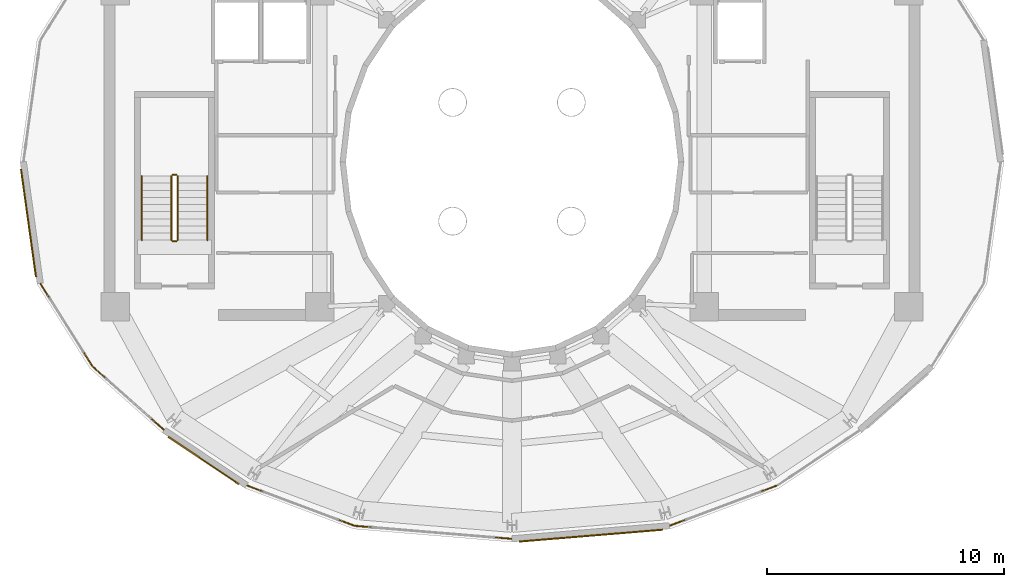
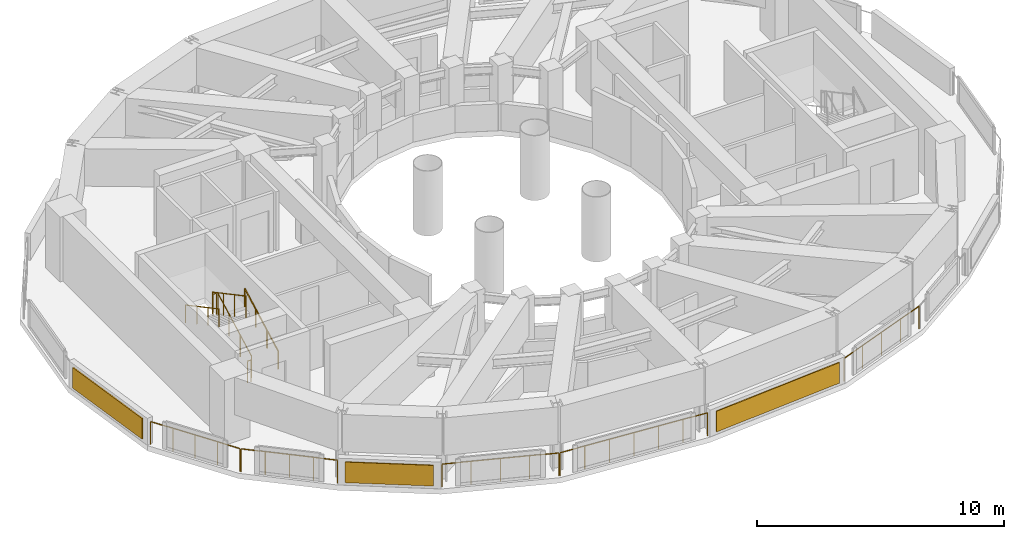
# One storey, part 16 of 18: 11 railings, 3 shading devices.
"""IFC4 building model written with IfcOpenShell, lengths in metres."""

from ifc_helpers import new_model, si_unit, direction, frame, origin, origin_2d, place, context, subcontext, project, spatial, rectangle, circle, extrude, material, layer, layer_set, type_object, element, save


model = new_model("IFC4")

# Units and contexts
model_context = context("Model", 3, precision=1e-05, world=origin(), true_north=direction((0.0, 1.0)))
body_context = subcontext(model_context, "Body", "Model", "MODEL_VIEW")
ifc_project = project(units=[si_unit("LENGTHUNIT", "METRE"), si_unit("AREAUNIT", "SQUARE_METRE"), si_unit("VOLUMEUNIT", "CUBIC_METRE"), si_unit("PLANEANGLEUNIT", "RADIAN"), si_unit("MASSUNIT", "GRAM", prefix="KILO")], contexts=[model_context])

# Site, building, storey
site_placement = place(None, origin())
site = spatial("IfcSite", under=ifc_project, at=site_placement, CompositionType="ELEMENT")
building_placement = place(site_placement, origin())
building = spatial("IfcBuilding", under=site, at=building_placement, Name="Solvane Sanctuary Tower", CompositionType="ELEMENT")
storey_placement = place(building_placement, frame((0.0, 0.0, 266.800048828125)))
storey = spatial("IfcBuildingStorey", under=building, at=storey_placement, Name="L81", CompositionType="ELEMENT", Elevation=266.800048828125)

# Railings
ifc_material_1 = material(Name="Architectural Stainless Steel 316", Category="steel")
railing_type_1 = type_object("IfcRailingType", Name="Railing GR-BALC-1150", PredefinedType="BALUSTRADE", material=ifc_material_1)
railing_1_placement = place(storey_placement, frame((12.147216796875, 17.85888671875, 0.0)))
element("IfcRailing", 1, at=railing_1_placement, inside=storey, type_object=railing_type_1, Name="L81 Crown Curtain-Wall Sill Guard 13", PredefinedType="BALUSTRADE", context=body_context, shape_type="SweptSolid", body=[
    extrude(circle(Radius=0.02392578125, at=origin_2d()), frame((0.0, 0.0, 1.1259765625), z_axis=(0.53263562122, -0.846344666792, 0.0), x_axis=(0.846344666792, 0.53263562122, 0.0)), (0.0, 0.0, 1.0), 4.082763671875),
    extrude(circle(Radius=0.02099609375, at=origin_2d()), origin(), (0.0, 0.0, 1.0), 1.101806640625),
    extrude(circle(Radius=0.02099609375, at=origin_2d()), frame((0.543701171875, -0.86376953125, 0.0)), (0.0, 0.0, 1.0), 1.101806640625),
    extrude(circle(Radius=0.02099609375, at=origin_2d()), frame((1.08740234375, -1.7275390625, 0.0)), (0.0, 0.0, 1.0), 1.101806640625),
    extrude(circle(Radius=0.02099609375, at=origin_2d()), frame((1.630859375, -2.591552734375, 0.0)), (0.0, 0.0, 1.0), 1.101806640625),
    extrude(circle(Radius=0.02099609375, at=origin_2d()), frame((2.174560546875, -3.455322265625, 0.0)), (0.0, 0.0, 1.0), 1.101806640625),
])
railing_2_placement = place(storey_placement, frame((14.360107421875, 14.3583984375, 0.0)))
element("IfcRailing", 2, at=railing_2_placement, inside=storey, type_object=railing_type_1, Name="L81 Crown Curtain-Wall Sill Guard 14", PredefinedType="BALUSTRADE", context=body_context, shape_type="SweptSolid", body=[
    extrude(circle(Radius=0.02392578125, at=origin_2d()), frame((0.0, 0.0, 1.1259765625), z_axis=(0.74762284301, -0.664123546194, 0.0), x_axis=(0.664123546194, 0.74762284301, 0.0)), (0.0, 0.0, 1.0), 3.9736328125),
    extrude(circle(Radius=0.02099609375, at=origin_2d()), origin(), (0.0, 0.0, 1.0), 1.101806640625),
    extrude(circle(Radius=0.02099609375, at=origin_2d()), frame((0.74267578125, -0.65966796875, 0.0)), (0.0, 0.0, 1.0), 1.101806640625),
    extrude(circle(Radius=0.02099609375, at=origin_2d()), frame((1.4853515625, -1.3193359375, 0.0)), (0.0, 0.0, 1.0), 1.101806640625),
    extrude(circle(Radius=0.02099609375, at=origin_2d()), frame((2.22802734375, -1.979248046875, 0.0)), (0.0, 0.0, 1.0), 1.101806640625),
    extrude(circle(Radius=0.02099609375, at=origin_2d()), frame((2.970703125, -2.638916015625, 0.0)), (0.0, 0.0, 1.0), 1.101806640625),
])
railing_3_placement = place(storey_placement, frame((20.85302734375, 9.362548828125, 0.0)))
element("IfcRailing", 3, at=railing_3_placement, inside=storey, type_object=railing_type_1, Name="L81 Crown Curtain-Wall Sill Guard 16", PredefinedType="BALUSTRADE", context=body_context, shape_type="SweptSolid", body=[
    extrude(circle(Radius=0.02392578125, at=origin_2d()), frame((0.0, 0.0, 1.1259765625), z_axis=(0.936446352834, -0.35081081549, 0.0), x_axis=(0.35081081549, 0.936446352834, 0.0)), (0.0, 0.0, 1.0), 4.79296875),
    extrude(circle(Radius=0.02099609375, at=origin_2d()), origin(), (0.0, 0.0, 1.0), 1.101806640625),
    extrude(circle(Radius=0.02099609375, at=origin_2d()), frame((1.1220703125, -0.42041015625, 0.0)), (0.0, 0.0, 1.0), 1.101806640625),
    extrude(circle(Radius=0.02099609375, at=origin_2d()), frame((2.244140625, -0.8408203125, 0.0)), (0.0, 0.0, 1.0), 1.101806640625),
    extrude(circle(Radius=0.02099609375, at=origin_2d()), frame((3.3662109375, -1.260986328125, 0.0)), (0.0, 0.0, 1.0), 1.101806640625),
    extrude(circle(Radius=0.02099609375, at=origin_2d()), frame((4.48828125, -1.681396484375, 0.0)), (0.0, 0.0, 1.0), 1.101806640625),
])
railing_4_placement = place(storey_placement, frame((25.3994140625, 7.668212890625, 0.0)))
element("IfcRailing", 4, at=railing_4_placement, inside=storey, type_object=railing_type_1, Name="L81 Crown Curtain-Wall Sill Guard 17", PredefinedType="BALUSTRADE", context=body_context, shape_type="SweptSolid", body=[
    extrude(circle(Radius=0.02392578125, at=origin_2d()), frame((0.0, 0.0, 1.1259765625), z_axis=(0.996594108696, -0.082463219145, 0.0), x_axis=(0.082463219145, 0.996594108696, 0.0)), (0.0, 0.0, 1.0), 6.59326171875),
    extrude(circle(Radius=0.02099609375, at=origin_2d()), origin(), (0.0, 0.0, 1.0), 1.101806640625),
    extrude(circle(Radius=0.02099609375, at=origin_2d()), frame((1.09521484375, -0.090576171875, 0.0)), (0.0, 0.0, 1.0), 1.101806640625),
    extrude(circle(Radius=0.02099609375, at=origin_2d()), frame((2.190185546875, -0.18115234375, 0.0)), (0.0, 0.0, 1.0), 1.101806640625),
    extrude(circle(Radius=0.02099609375, at=origin_2d()), frame((3.285400390625, -0.27197265625, 0.0)), (0.0, 0.0, 1.0), 1.101806640625),
    extrude(circle(Radius=0.02099609375, at=origin_2d()), frame((4.380615234375, -0.362548828125, 0.0)), (0.0, 0.0, 1.0), 1.101806640625),
    extrude(circle(Radius=0.02099609375, at=origin_2d()), frame((5.4755859375, -0.453125, 0.0)), (0.0, 0.0, 1.0), 1.101806640625),
    extrude(circle(Radius=0.02099609375, at=origin_2d()), frame((6.57080078125, -0.543701171875, 0.0)), (0.0, 0.0, 1.0), 1.101806640625),
])
railing_5_placement = place(storey_placement, frame((38.65869140625, 7.68115234375, 0.0)))
element("IfcRailing", 5, at=railing_5_placement, inside=storey, type_object=railing_type_1, Name="L81 Crown Curtain-Wall Sill Guard 19", PredefinedType="BALUSTRADE", context=body_context, shape_type="SweptSolid", body=[
    extrude(circle(Radius=0.02392578125, at=origin_2d()), frame((0.0, 0.0, 1.1259765625), z_axis=(0.936446352834, 0.35081081549, 0.0), x_axis=(-0.35081081549, 0.936446352834, 0.0)), (0.0, 0.0, 1.0), 4.79296875),
    extrude(circle(Radius=0.02099609375, at=origin_2d()), origin(), (0.0, 0.0, 1.0), 1.101806640625),
    extrude(circle(Radius=0.02099609375, at=origin_2d()), frame((1.1220703125, 0.42041015625, 0.0)), (0.0, 0.0, 1.0), 1.101806640625),
    extrude(circle(Radius=0.02099609375, at=origin_2d()), frame((2.244140625, 0.8408203125, 0.0)), (0.0, 0.0, 1.0), 1.101806640625),
    extrude(circle(Radius=0.02099609375, at=origin_2d()), frame((3.3662109375, 1.260986328125, 0.0)), (0.0, 0.0, 1.0), 1.101806640625),
    extrude(circle(Radius=0.02099609375, at=origin_2d()), frame((4.48828125, 1.681396484375, 0.0)), (0.0, 0.0, 1.0), 1.101806640625),
])
railing_6_placement = place(storey_placement, frame((17.919921875, 19.699951171875, 0.159912109375)))
element("IfcRailing", 6, at=railing_6_placement, inside=storey, type_object=railing_type_1, Name="L81 ST-1 stair guard 1", PredefinedType="BALUSTRADE", context=body_context, shape_type="SweptSolid", body=[
    extrude(circle(Radius=0.02392578125, at=origin_2d()), frame((0.0, 0.0, 1.076171875), z_axis=(0.0, 0.882357358376, 0.470579952952), x_axis=(-1.0, 0.0, 0.0)), (0.0, 0.0, 1.0), 3.059814453125),
    extrude(circle(Radius=0.02099609375, at=origin_2d()), origin(), (0.0, 0.0, 1.0), 1.052001953125),
    extrude(circle(Radius=0.02099609375, at=origin_2d()), frame((0.0, 0.89990234375, 0.47998046875)), (0.0, 0.0, 1.0), 1.052001953125),
    extrude(circle(Radius=0.02099609375, at=origin_2d()), frame((0.0, 1.800048828125, 0.9599609375)), (0.0, 0.0, 1.0), 1.052001953125),
    extrude(circle(Radius=0.02099609375, at=origin_2d()), frame((0.0, 2.699951171875, 1.43994140625)), (0.0, 0.0, 1.0), 1.052001953125),
])
railing_7_placement = place(storey_placement, frame((17.8701171875, 22.449951171875, 1.599853515625)))
element("IfcRailing", 7, at=railing_7_placement, inside=storey, type_object=railing_type_1, Name="L81 ST-1 stair guard 2", PredefinedType="BALUSTRADE", context=body_context, shape_type="SweptSolid", body=[
    extrude(circle(Radius=0.02392578125, at=origin_2d()), frame((0.0, 0.0, 1.076171875), z_axis=(-1.0, 0.0, 0.0), x_axis=(0.0, -1.0, 0.0)), (0.0, 0.0, 1.0), 0.16015625),
    extrude(circle(Radius=0.02099609375, at=origin_2d()), origin(), (0.0, 0.0, 1.0), 1.052001953125),
    extrude(circle(Radius=0.02099609375, at=origin_2d()), frame((-0.16015625, 0.0, 0.0)), (0.0, 0.0, 1.0), 1.052001953125),
])
railing_8_placement = place(storey_placement, frame((17.659912109375, 22.39990234375, 1.760009765625)))
element("IfcRailing", 8, at=railing_8_placement, inside=storey, type_object=railing_type_1, Name="L81 ST-1 stair guard 3", PredefinedType="BALUSTRADE", context=body_context, shape_type="SweptSolid", body=[
    extrude(circle(Radius=0.02392578125, at=origin_2d()), frame((0.0, 0.0, 1.076171875), z_axis=(0.0, -0.882357358376, 0.470579952952), x_axis=(1.0, 0.0, 0.0)), (0.0, 0.0, 1.0), 3.059814453125),
    extrude(circle(Radius=0.02099609375, at=origin_2d()), origin(), (0.0, 0.0, 1.0), 1.052001953125),
    extrude(circle(Radius=0.02099609375, at=origin_2d()), frame((0.0, -0.89990234375, 0.47998046875)), (0.0, 0.0, 1.0), 1.052001953125),
    extrude(circle(Radius=0.02099609375, at=origin_2d()), frame((0.0, -1.800048828125, 0.9599609375)), (0.0, 0.0, 1.0), 1.052001953125),
    extrude(circle(Radius=0.02099609375, at=origin_2d()), frame((0.0, -2.699951171875, 1.43994140625)), (0.0, 0.0, 1.0), 1.052001953125),
])
railing_9_placement = place(storey_placement, frame((17.8701171875, 19.64990234375, 0.0)))
element("IfcRailing", 9, at=railing_9_placement, inside=storey, type_object=railing_type_1, Name="L81 ST-1 stair guard 4", PredefinedType="BALUSTRADE", context=body_context, shape_type="SweptSolid", body=[
    extrude(circle(Radius=0.02392578125, at=origin_2d()), frame((0.0, 0.0, 1.076171875), z_axis=(-1.0, 0.0, 0.0), x_axis=(0.0, -1.0, 0.0)), (0.0, 0.0, 1.0), 0.16015625),
    extrude(circle(Radius=0.02099609375, at=origin_2d()), origin(), (0.0, 0.0, 1.0), 1.052001953125),
    extrude(circle(Radius=0.02099609375, at=origin_2d()), frame((-0.16015625, 0.0, 0.0)), (0.0, 0.0, 1.0), 1.052001953125),
])
railing_type_2 = type_object("IfcRailingType", Name="Railing HR-STAIR-920", PredefinedType="HANDRAIL", material=ifc_material_1)
railing_10_placement = place(storey_placement, frame((19.169921875, 19.699951171875, 0.159912109375)))
element("IfcRailing", 10, at=railing_10_placement, inside=storey, type_object=railing_type_2, Name="L81 ST-1 stair handrail 1", PredefinedType="HANDRAIL", context=body_context, shape_type="SweptSolid", body=[
    extrude(circle(Radius=0.02392578125, at=origin_2d()), frame((0.0, 0.0, 0.8759765625), z_axis=(0.0, 0.882357358376, 0.470579952952), x_axis=(-1.0, 0.0, 0.0)), (0.0, 0.0, 1.0), 3.059814453125),
    extrude(circle(Radius=0.02099609375, at=origin_2d()), origin(), (0.0, 0.0, 1.0), 0.851806640625),
    extrude(circle(Radius=0.02099609375, at=origin_2d()), frame((0.0, 0.89990234375, 0.47998046875)), (0.0, 0.0, 1.0), 0.851806640625),
    extrude(circle(Radius=0.02099609375, at=origin_2d()), frame((0.0, 1.800048828125, 0.9599609375)), (0.0, 0.0, 1.0), 0.851806640625),
    extrude(circle(Radius=0.02099609375, at=origin_2d()), frame((0.0, 2.699951171875, 1.43994140625)), (0.0, 0.0, 1.0), 0.851806640625),
])
railing_11_placement = place(storey_placement, frame((16.409912109375, 22.39990234375, 1.760009765625)))
element("IfcRailing", 11, at=railing_11_placement, inside=storey, type_object=railing_type_2, Name="L81 ST-1 stair handrail 2", PredefinedType="HANDRAIL", context=body_context, shape_type="SweptSolid", body=[
    extrude(circle(Radius=0.02392578125, at=origin_2d()), frame((0.0, 0.0, 0.8759765625), z_axis=(0.0, -0.882357358376, 0.470579952952), x_axis=(1.0, 0.0, 0.0)), (0.0, 0.0, 1.0), 3.059814453125),
    extrude(circle(Radius=0.02099609375, at=origin_2d()), origin(), (0.0, 0.0, 1.0), 0.851806640625),
    extrude(circle(Radius=0.02099609375, at=origin_2d()), frame((0.0, -0.89990234375, 0.47998046875)), (0.0, 0.0, 1.0), 0.851806640625),
    extrude(circle(Radius=0.02099609375, at=origin_2d()), frame((0.0, -1.800048828125, 0.9599609375)), (0.0, 0.0, 1.0), 0.851806640625),
    extrude(circle(Radius=0.02099609375, at=origin_2d()), frame((0.0, -2.699951171875, 1.43994140625)), (0.0, 0.0, 1.0), 0.851806640625),
])

# Shading devices
ifc_material_2 = material(Name="Anodised Aluminium 6063-T6", Category="aluminium")
ifc_layer = layer(ifc_material_2, 0.06005859375, Name="Anodised Aluminium 6063-T6")
ifc_layer_set = layer_set([ifc_layer], Name="Anodised Aluminium 6063-T6")
shading_device_type = type_object("IfcShadingDeviceType", Name="Shading SHD-LOUVRE", PredefinedType="JALOUSIE", material=ifc_layer_set)
shading_device_1_placement = place(storey_placement, frame((11.636962890625, 20.4228515625, 0.14990234375), z_axis=(0.0, 0.0, 1.0), x_axis=(0.137679654222, -0.990476810841, 0.0)))
element("IfcShadingDevice", 12, at=shading_device_1_placement, inside=storey, type_object=shading_device_type, Name="L81 Crown Storm Louvre Panel 12", PredefinedType="JALOUSIE", context=body_context, shape_type="SweptSolid", body=[
    extrude(rectangle(XDim=4.56494140625, YDim=0.06005859375, at=origin_2d()), origin(), (0.0, 0.0, 1.0), 1.02001953125),
])
shading_device_2_placement = place(storey_placement, frame((19.01123046875, 10.420166015625, 0.14990234375), z_axis=(0.0, 0.0, 1.0), x_axis=(0.83070085302, -0.556719042958, 0.0)))
element("IfcShadingDevice", 13, at=shading_device_2_placement, inside=storey, type_object=shading_device_type, Name="L81 Crown Storm Louvre Panel 15", PredefinedType="JALOUSIE", context=body_context, shape_type="SweptSolid", body=[
    extrude(rectangle(XDim=3.5791015625, YDim=0.06005859375, at=origin_2d()), origin(), (0.0, 0.0, 1.0), 1.02001953125),
])
shading_device_3_placement = place(storey_placement, frame((35.326904296875, 7.2568359375, 0.14990234375), z_axis=(0.0, 0.0, 1.0), x_axis=(0.996594779048, 0.082455117333, 0.0)))
element("IfcShadingDevice", 14, at=shading_device_3_placement, inside=storey, type_object=shading_device_type, Name="L81 Crown Storm Louvre Panel 18", PredefinedType="JALOUSIE", context=body_context, shape_type="SweptSolid", body=[
    extrude(rectangle(XDim=6.05322265625, YDim=0.06005859375, at=origin_2d()), origin(), (0.0, 0.0, 1.0), 1.02001953125),
])

save(model, "model.ifc")
